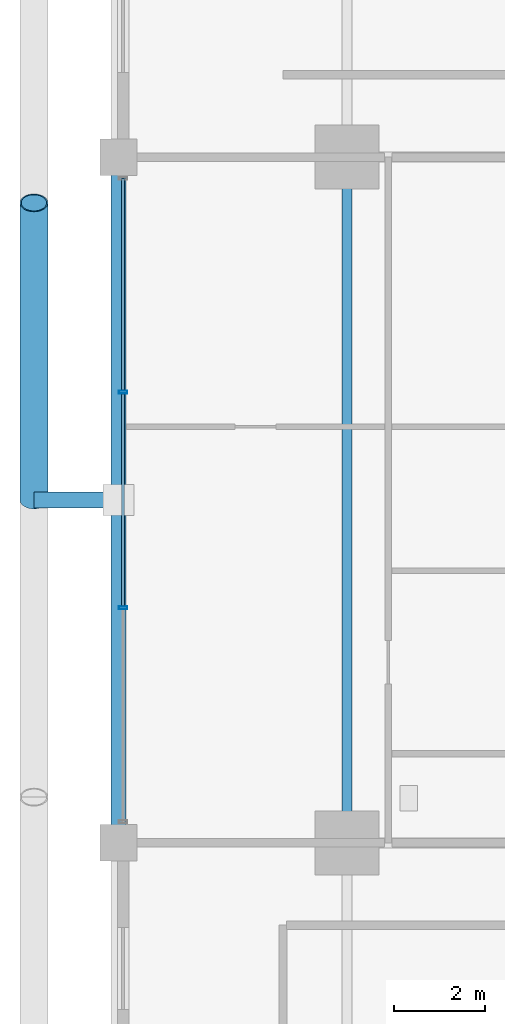
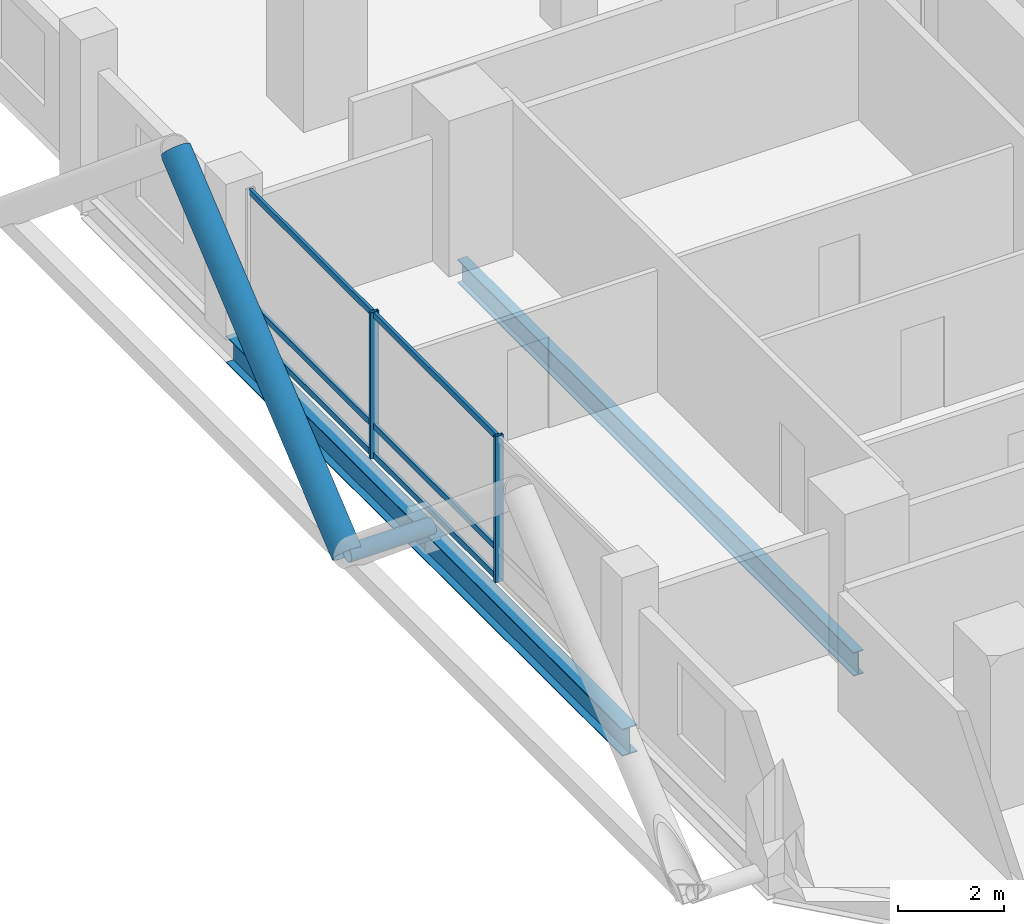
# One storey, part 8 of 27: 10 members, 2 beams, 1 element without a shape of its own.
"""IFC4 building model written with IfcOpenShell, lengths in metres."""

from ifc_helpers import new_model, si_unit, direction, frame, origin, origin_2d, place, context, subcontext, project, spatial, hollow_rectangle, hollow_circle, i_section, extrude, material, layer, layer_set, material_profile, profile_set, type_object, element, aggregate, save


model = new_model("IFC4")

# Units and contexts
model_context = context("Model", 3, precision=1e-05, world=origin(), true_north=direction((0.0, 1.0)))
body_context = subcontext(model_context, "Body", "Model", "MODEL_VIEW")
ifc_project = project(units=[si_unit("LENGTHUNIT", "METRE"), si_unit("AREAUNIT", "SQUARE_METRE"), si_unit("VOLUMEUNIT", "CUBIC_METRE"), si_unit("PLANEANGLEUNIT", "RADIAN"), si_unit("MASSUNIT", "GRAM", prefix="KILO")], contexts=[model_context])

# Site, building, storey
site_placement = place(None, origin())
site = spatial("IfcSite", under=ifc_project, at=site_placement, CompositionType="ELEMENT")
building_placement = place(site_placement, origin())
building = spatial("IfcBuilding", under=site, at=building_placement, Name="Barlavira Tower and Art Museum", CompositionType="ELEMENT")
storey_placement = place(building_placement, frame((0.0, 0.0, 72.0)))
storey = spatial("IfcBuildingStorey", under=building, at=storey_placement, Name="L17", CompositionType="ELEMENT", Elevation=72.0)

# Curtain wall, members
ifc_material_1 = material(Name="Low-iron coastal laminated glass", Category="glass")
ifc_layer = layer(ifc_material_1, 0.179931640625, Name="Low-iron coastal laminated glass")
ifc_layer_set = layer_set([ifc_layer], Name="Low-iron coastal laminated glass")
curtain_wall_type = type_object("IfcCurtainWallType", Name="Pale-Metal Unitised Curtain Wall Zone 1", PredefinedType="NOTDEFINED", material=ifc_layer_set)
curtain_wall_placement = place(storey_placement, origin())
curtain_wall = element("IfcCurtainWall", 1, at=curtain_wall_placement, inside=storey, type_object=curtain_wall_type, Name="L17 Curtain Wall CW1-L17-W-B3", PredefinedType="NOTDEFINED")
ifc_material_2 = material(Name="Pale anodised aluminium", Category="aluminium")
ifc_material_profile_1 = material_profile(ifc_material_2, hollow_rectangle(XDim=0.06494140625, YDim=0.179931640625, WallThickness=0.00390625, at=origin_2d()), Name="ALU-MULL 65x180x4")
ifc_profile_set_1 = profile_set([ifc_material_profile_1], Name="Pale anodised aluminium")
member_type_1 = type_object("IfcMemberType", Name="Curtain Wall Pale-Metal Mullion 65x180", PredefinedType="MULLION", material=ifc_profile_set_1)
member_1_placement = place(storey_placement, frame((-21.89990234375, 2.360107421875, 0.0), z_axis=(0.0, 0.0, 1.0), x_axis=(0.0, -1.0, 0.0)))
member_1 = element("IfcMember", 2, at=member_1_placement, type_object=member_type_1, Name="CW1-L17-W-B3 Mullion 1", PredefinedType="MULLION", context=body_context, shape_type="SweptSolid", body=[
    extrude(hollow_rectangle(XDim=0.06494140625, YDim=0.179931640625, WallThickness=0.00390625, at=origin_2d()), origin(), (0.0, 0.0, 1.0), 3.3798828125),
])
member_2_placement = place(storey_placement, frame((-21.89990234375, -2.360107421875, 0.0), z_axis=(0.0, 0.0, 1.0), x_axis=(0.0, -1.0, 0.0)))
member_2 = element("IfcMember", 3, at=member_2_placement, type_object=member_type_1, Name="CW1-L17-W-B3 Mullion 2", PredefinedType="MULLION", context=body_context, shape_type="SweptSolid", body=[
    extrude(hollow_rectangle(XDim=0.06494140625, YDim=0.179931640625, WallThickness=0.00390625, at=origin_2d()), origin(), (0.0, 0.0, 1.0), 3.3798828125),
])
ifc_material_profile_2 = material_profile(ifc_material_2, hollow_rectangle(XDim=0.06494140625, YDim=0.139892578125, WallThickness=0.00390625, at=origin_2d()), Name="ALU-TRAN 65x140x4")
ifc_profile_set_2 = profile_set([ifc_material_profile_2], Name="Pale anodised aluminium")
member_type_2 = type_object("IfcMemberType", Name="Curtain Wall Pale-Metal Transom 65x140", PredefinedType="USERDEFINED", material=ifc_profile_set_2)
member_3_placement = place(storey_placement, frame((-21.89990234375, 7.034912109375, 0.070068359375), z_axis=(0.0, -1.0, 0.0), x_axis=(1.0, 0.0, 0.0)))
member_3 = element("IfcMember", 4, at=member_3_placement, type_object=member_type_2, Name="CW1-L17-W-B3 Transom 0.1", ObjectType="TRANSOM", PredefinedType="USERDEFINED", context=body_context, shape_type="SweptSolid", body=[
    extrude(hollow_rectangle(XDim=0.06494140625, YDim=0.139892578125, WallThickness=0.00390625, at=origin_2d()), origin(), (0.0, 0.0, 1.0), 4.6298828125),
])
member_4_placement = place(storey_placement, frame((-21.89990234375, 7.034912109375, 0.743896484375), z_axis=(0.0, -1.0, 0.0), x_axis=(1.0, 0.0, 0.0)))
member_4 = element("IfcMember", 5, at=member_4_placement, type_object=member_type_2, Name="CW1-L17-W-B3 Transom 0.2", ObjectType="TRANSOM", PredefinedType="USERDEFINED", context=body_context, shape_type="SweptSolid", body=[
    extrude(hollow_rectangle(XDim=0.06494140625, YDim=0.139892578125, WallThickness=0.00390625, at=origin_2d()), origin(), (0.0, 0.0, 1.0), 4.6298828125),
])
member_5_placement = place(storey_placement, frame((-21.89990234375, 7.034912109375, 3.31005859375), z_axis=(0.0, -1.0, 0.0), x_axis=(1.0, 0.0, 0.0)))
member_5 = element("IfcMember", 6, at=member_5_placement, type_object=member_type_2, Name="CW1-L17-W-B3 Transom 0.3", ObjectType="TRANSOM", PredefinedType="USERDEFINED", context=body_context, shape_type="SweptSolid", body=[
    extrude(hollow_rectangle(XDim=0.06494140625, YDim=0.139892578125, WallThickness=0.00390625, at=origin_2d()), origin(), (0.0, 0.0, 1.0), 4.6298828125),
])
member_6_placement = place(storey_placement, frame((-21.89990234375, 2.31494140625, 0.070068359375), z_axis=(0.0, -1.0, 0.0), x_axis=(1.0, 0.0, 0.0)))
member_6 = element("IfcMember", 7, at=member_6_placement, type_object=member_type_2, Name="CW1-L17-W-B3 Transom 1.1", ObjectType="TRANSOM", PredefinedType="USERDEFINED", context=body_context, shape_type="SweptSolid", body=[
    extrude(hollow_rectangle(XDim=0.06494140625, YDim=0.139892578125, WallThickness=0.00390625, at=origin_2d()), origin(), (0.0, 0.0, 1.0), 4.6298828125),
])
member_7_placement = place(storey_placement, frame((-21.89990234375, 2.31494140625, 0.743896484375), z_axis=(0.0, -1.0, 0.0), x_axis=(1.0, 0.0, 0.0)))
member_7 = element("IfcMember", 8, at=member_7_placement, type_object=member_type_2, Name="CW1-L17-W-B3 Transom 1.2", ObjectType="TRANSOM", PredefinedType="USERDEFINED", context=body_context, shape_type="SweptSolid", body=[
    extrude(hollow_rectangle(XDim=0.06494140625, YDim=0.139892578125, WallThickness=0.00390625, at=origin_2d()), origin(), (0.0, 0.0, 1.0), 4.6298828125),
])
member_8_placement = place(storey_placement, frame((-21.89990234375, 2.31494140625, 3.31005859375), z_axis=(0.0, -1.0, 0.0), x_axis=(1.0, 0.0, 0.0)))
member_8 = element("IfcMember", 9, at=member_8_placement, type_object=member_type_2, Name="CW1-L17-W-B3 Transom 1.3", ObjectType="TRANSOM", PredefinedType="USERDEFINED", context=body_context, shape_type="SweptSolid", body=[
    extrude(hollow_rectangle(XDim=0.06494140625, YDim=0.139892578125, WallThickness=0.00390625, at=origin_2d()), origin(), (0.0, 0.0, 1.0), 4.6298828125),
])
aggregate(curtain_wall, [member_1, member_2, member_3, member_4, member_5, member_6, member_7, member_8])

# Members
ifc_material_3 = material(Name="Steel S355", Category="steel")
ifc_material_profile_3 = material_profile(ifc_material_3, hollow_circle(Radius=0.304931640625, WallThickness=0.028076171875, at=origin_2d()), Name="CHS 610.0x28.0")
ifc_profile_set_3 = profile_set([ifc_material_profile_3], Name="Steel S355")
member_type_3 = type_object("IfcMemberType", Name="Pale-Metal Exoskeleton Diagrid Tube CHS 610x28 Steel S355", PredefinedType="BRACE", material=ifc_profile_set_3)
member_9_placement = place(storey_placement, frame((-23.85009765625, 0.0, -0.1201171875), z_axis=(0.0, 0.76918185268, 0.639029950399), x_axis=(-1.0, 0.0, 0.0)))
element("IfcMember", 10, at=member_9_placement, inside=storey, type_object=member_type_3, Name="L17 Exoskeleton Diagrid Tube W", PredefinedType="BRACE", context=body_context, shape_type="SweptSolid", body=[
    extrude(hollow_circle(Radius=0.304931640625, WallThickness=0.028076171875, at=origin_2d()), origin(), (0.0, 0.0, 1.0), 8.450439453125),
])
ifc_material_profile_4 = material_profile(ifc_material_3, hollow_circle(Radius=0.177734375, WallThickness=0.01611328125, at=origin_2d()), Name="CHS 355.6x16.0")
ifc_profile_set_4 = profile_set([ifc_material_profile_4], Name="Steel S355")
member_type_4 = type_object("IfcMemberType", Name="Pale-Metal Exoskeleton Tie Strut CHS 356x16 Steel S355", PredefinedType="STRUT", material=ifc_profile_set_4)
member_10_placement = place(storey_placement, frame((-23.85009765625, 0.0, -0.1201171875), z_axis=(1.0, 0.0, 0.0), x_axis=(0.0, 1.0, 0.0)))
element("IfcMember", 11, at=member_10_placement, inside=storey, type_object=member_type_4, Name="L17 Exoskeleton Tie Strut W2", PredefinedType="STRUT", context=body_context, shape_type="SweptSolid", body=[
    extrude(hollow_circle(Radius=0.177734375, WallThickness=0.01611328125, at=origin_2d()), origin(), (0.0, 0.0, 1.0), 1.85009765625),
])

# Beams
ifc_material_profile_5 = material_profile(ifc_material_3, i_section(OverallWidth=0.327880859375, OverallDepth=0.62890625, WebThickness=0.013916015625, FlangeThickness=0.021484375, at=origin_2d()), Name="W610x174.0")
ifc_profile_set_5 = profile_set([ifc_material_profile_5], Name="Steel S355")
beam_type_1 = type_object("IfcBeamType", Name="Perimeter Spandrel Edge Beam W610x174 Steel S355", PredefinedType="SPANDREL", material=ifc_profile_set_5)
beam_1_placement = place(storey_placement, frame((-22.0, -7.5, -0.534423828125), z_axis=(0.0, 1.0, 0.0), x_axis=(-1.0, 0.0, 0.0)))
element("IfcBeam", 12, at=beam_1_placement, inside=storey, type_object=beam_type_1, Name="L17 Spandrel 14", PredefinedType="SPANDREL", context=body_context, shape_type="SweptSolid", body=[
    extrude(i_section(OverallWidth=0.327880859375, OverallDepth=0.62890625, WebThickness=0.013916015625, FlangeThickness=0.021484375, at=origin_2d()), origin(), (0.0, 0.0, 1.0), 15.0),
])
ifc_material_profile_6 = material_profile(ifc_material_3, i_section(OverallWidth=0.214111328125, OverallDepth=0.549072265625, WebThickness=0.0146484375, FlangeThickness=0.023681640625, at=origin_2d()), Name="W530x138.0")
ifc_profile_set_6 = profile_set([ifc_material_profile_6], Name="Steel S355")
beam_type_2 = type_object("IfcBeamType", Name="Zone 1 Primary Floor Girder W530x138 Steel S355", PredefinedType="BEAM", material=ifc_profile_set_6)
beam_2_placement = place(storey_placement, frame((-17.0, -7.5, -0.494384765625), z_axis=(0.0, 1.0, 0.0), x_axis=(-1.0, 0.0, 0.0)))
element("IfcBeam", 13, at=beam_2_placement, inside=storey, type_object=beam_type_2, Name="L17 Girder M-W2", PredefinedType="BEAM", context=body_context, shape_type="SweptSolid", body=[
    extrude(i_section(OverallWidth=0.214111328125, OverallDepth=0.549072265625, WebThickness=0.0146484375, FlangeThickness=0.023681640625, at=origin_2d()), origin(), (0.0, 0.0, 1.0), 15.0),
])

save(model, "model.ifc")
